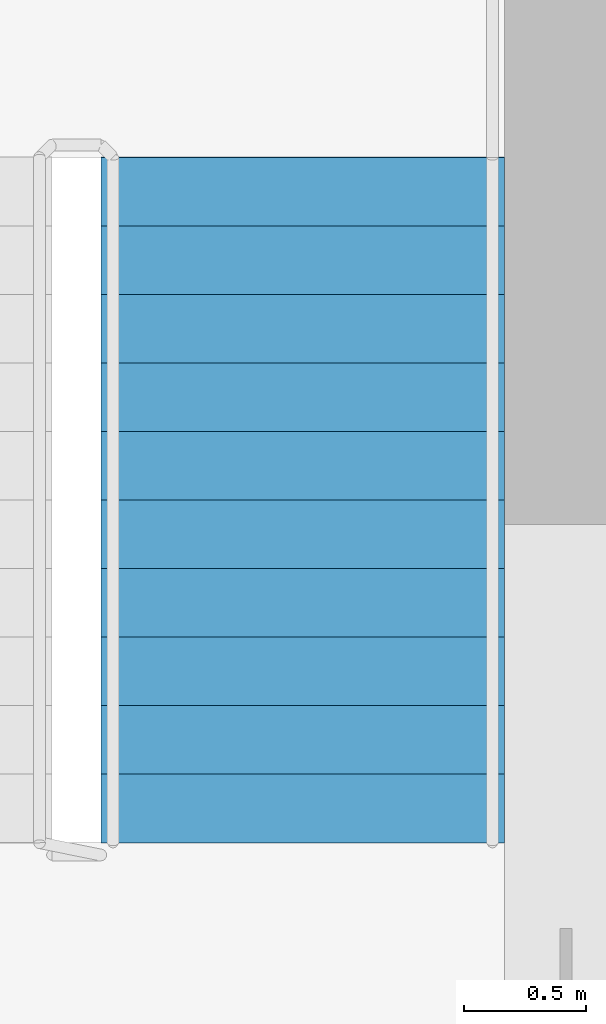
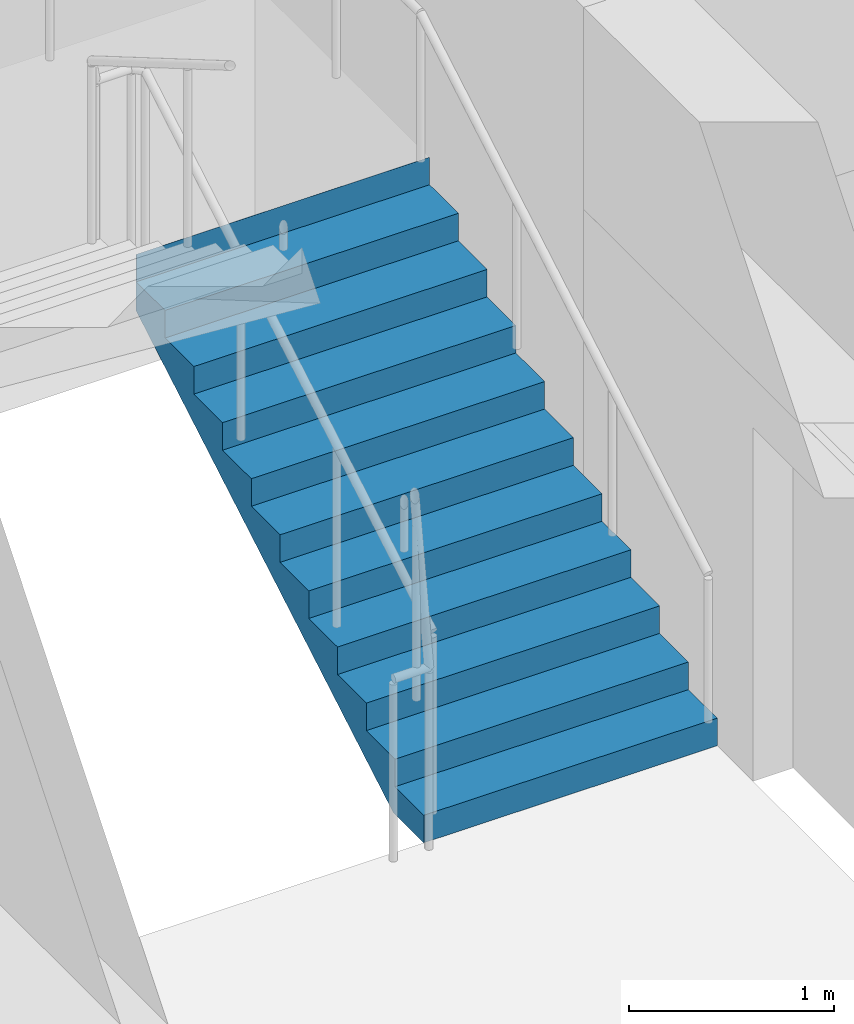
# One storey, part 13 of 14: 1 stair flight, 1 element without a shape of its own.
"""IFC4 building model written with IfcOpenShell, lengths in metres."""

from ifc_helpers import new_model, si_unit, direction, frame, origin, place, context, subcontext, project, spatial, polyline, outline, extrude, material, type_object, element, aggregate, save


model = new_model("IFC4")

# Units and contexts
model_context = context("Model", 3, precision=1e-05, world=origin(), true_north=direction((0.0, 1.0)))
body_context = subcontext(model_context, "Body", "Model", "MODEL_VIEW")
ifc_project = project(units=[si_unit("LENGTHUNIT", "METRE"), si_unit("AREAUNIT", "SQUARE_METRE"), si_unit("VOLUMEUNIT", "CUBIC_METRE"), si_unit("PLANEANGLEUNIT", "RADIAN"), si_unit("MASSUNIT", "GRAM", prefix="KILO")], contexts=[model_context])

# Site, building, storey
site_placement = place(None, origin())
site = spatial("IfcSite", under=ifc_project, at=site_placement, CompositionType="ELEMENT")
building_placement = place(site_placement, origin())
building = spatial("IfcBuilding", under=site, at=building_placement, Name="Tamorin Gate", CompositionType="ELEMENT")
storey_placement = place(building_placement, frame((0.0, 0.0, 162.60009765625)))
storey = spatial("IfcBuildingStorey", under=building, at=storey_placement, Name="L40", CompositionType="ELEMENT", Elevation=162.60009765625)

# Stair, stair flight
ifc_material = material(Name="Concrete C40/50", Category="concrete")
stair_type = type_object("IfcStairType", Name="Exit stair", PredefinedType="HALF_TURN_STAIR", material=ifc_material)
stair_placement = place(storey_placement, origin())
stair = element("IfcStair", 1, at=stair_placement, inside=storey, type_object=stair_type, Name="L40 stair ST2", PredefinedType="HALF_TURN_STAIR")
stair_flight_type = type_object("IfcStairFlightType", Name="Exit stair flight", PredefinedType="STRAIGHT", material=ifc_material)
stair_flight_placement = place(storey_placement, frame((33.675048828125, 77.0, 0.0), z_axis=(0.0, 0.0, 1.0), x_axis=(0.0, 1.0, 0.0)))
stair_flight = element("IfcStairFlight", 2, at=stair_flight_placement, type_object=stair_flight_type, Name="ST2 flight 1", NumberOfRisers=11, NumberOfTreads=10, PredefinedType="STRAIGHT", RiserHeight=0.163636364, TreadLength=0.28, context=body_context, shape_type="SweptSolid", body=[
    extrude(outline(polyline([(-0.00048828125, 0.0), (-0.00048828125, 0.001708984375), (-0.00048828125, 0.003173828125), (-0.00048828125, 0.0048828125), (-0.00048828125, 0.006591796875), (-0.00048828125, 0.008056640625), (-0.00048828125, 0.009765625), (-0.00048828125, 0.01123046875), (-0.00048828125, 0.012939453125), (-0.00048828125, 0.0146484375), (-0.00048828125, 0.01611328125), (-0.00048828125, 0.017822265625), (-0.00048828125, 0.01953125), (-0.00048828125, 0.02099609375), (-0.00048828125, 0.022705078125), (-0.00048828125, 0.0244140625), (-0.00048828125, 0.02587890625), (-0.00048828125, 0.027587890625), (-0.00048828125, 0.029052734375), (-0.00048828125, 0.03076171875), (-0.00048828125, 0.032470703125), (-0.00048828125, 0.033935546875), (-0.00048828125, 0.03564453125), (-0.00048828125, 0.037353515625), (-0.00048828125, 0.038818359375), (-0.00048828125, 0.04052734375), (-0.00048828125, 0.042236328125), (-0.00048828125, 0.043701171875), (-0.00048828125, 0.04541015625), (-0.00048828125, 0.046875), (-0.00048828125, 0.048583984375), (-0.00048828125, 0.05029296875), (-0.00048828125, 0.0517578125), (-0.00048828125, 0.053466796875), (-0.00048828125, 0.05517578125), (-0.00048828125, 0.056640625), (-0.00048828125, 0.058349609375), (-0.00048828125, 0.06005859375), (-0.00048828125, 0.0615234375), (-0.00048828125, 0.063232421875), (-0.00048828125, 0.064697265625), (-0.00048828125, 0.06640625), (-0.00048828125, 0.068115234375), (-0.00048828125, 0.069580078125), (-0.00048828125, 0.0712890625), (-0.00048828125, 0.072998046875), (-0.00048828125, 0.074462890625), (-0.00048828125, 0.076171875), (-0.00048828125, 0.077880859375), (-0.00048828125, 0.079345703125), (-0.00048828125, 0.0810546875), (-0.00048828125, 0.08251953125), (-0.00048828125, 0.084228515625), (-0.00048828125, 0.0859375), (-0.00048828125, 0.08740234375), (-0.00048828125, 0.089111328125), (-0.00048828125, 0.0908203125), (-0.00048828125, 0.09228515625), (-0.00048828125, 0.093994140625), (-0.00048828125, 0.095703125), (-0.00048828125, 0.09716796875), (-0.00048828125, 0.098876953125), (-0.00048828125, 0.100341796875), (-0.00048828125, 0.10205078125), (-0.00048828125, 0.103759765625), (-0.00048828125, 0.105224609375), (-0.00048828125, 0.10693359375), (-0.00048828125, 0.108642578125), (-0.00048828125, 0.110107421875), (-0.00048828125, 0.11181640625), (-0.00048828125, 0.113525390625), (-0.00048828125, 0.114990234375), (-0.00048828125, 0.11669921875), (-0.00048828125, 0.1181640625), (-0.00048828125, 0.119873046875), (-0.00048828125, 0.12158203125), (-0.00048828125, 0.123046875), (-0.00048828125, 0.124755859375), (-0.00048828125, 0.12646484375), (-0.00048828125, 0.1279296875), (-0.00048828125, 0.129638671875), (-0.00048828125, 0.13134765625), (-0.00048828125, 0.1328125), (-0.00048828125, 0.134521484375), (-0.00048828125, 0.135986328125), (-0.00048828125, 0.1376953125), (-0.00048828125, 0.139404296875), (-0.00048828125, 0.140869140625), (-0.00048828125, 0.142578125), (-0.00048828125, 0.144287109375), (-0.00048828125, 0.145751953125), (-0.00048828125, 0.1474609375), (-0.00048828125, 0.149169921875), (-0.00048828125, 0.150634765625), (-0.00048828125, 0.15234375), (-0.00048828125, 0.15380859375), (-0.00048828125, 0.155517578125), (-0.00048828125, 0.1572265625), (-0.00048828125, 0.15869140625), (-0.00048828125, 0.160400390625), (-0.00048828125, 0.162109375), (-0.00048828125, 0.16357421875), (0.280029296875, 0.16357421875), (0.280029296875, 0.327392578125), (0.56005859375, 0.327392578125), (0.56005859375, 0.490966796875), (0.840087890625, 0.490966796875), (0.840087890625, 0.654541015625), (1.1201171875, 0.654541015625), (1.1201171875, 0.818115234375), (1.39990234375, 0.818115234375), (1.39990234375, 0.98193359375), (1.679931640625, 0.98193359375), (1.679931640625, 1.1455078125), (1.9599609375, 1.1455078125), (1.9599609375, 1.30908203125), (2.239990234375, 1.30908203125), (2.239990234375, 1.47265625), (2.52001953125, 1.47265625), (2.52001953125, 1.636474609375), (2.800048828125, 1.636474609375), (2.800048828125, 1.800048828125), (2.800537109375, 1.800048828125), (2.800537109375, 1.796630859375), (2.800537109375, 1.793212890625), (2.800537109375, 1.7900390625), (2.800537109375, 1.78662109375), (2.800537109375, 1.783203125), (2.800537109375, 1.780029296875), (2.800537109375, 1.776611328125), (2.800537109375, 1.773193359375), (2.800537109375, 1.77001953125), (2.800537109375, 1.7666015625), (2.800537109375, 1.76318359375), (2.800537109375, 1.760009765625), (2.800537109375, 1.756591796875), (2.800537109375, 1.753173828125), (2.800537109375, 1.75), (2.800537109375, 1.74658203125), (2.800537109375, 1.7431640625), (2.800537109375, 1.739990234375), (2.800537109375, 1.736572265625), (2.800537109375, 1.733154296875), (2.800537109375, 1.72998046875), (2.800537109375, 1.7265625), (2.800537109375, 1.72314453125), (2.800537109375, 1.719970703125), (2.800537109375, 1.716552734375), (2.800537109375, 1.713134765625), (2.800537109375, 1.7099609375), (2.800537109375, 1.70654296875), (2.800537109375, 1.703125), (2.800537109375, 1.69970703125), (2.800537109375, 1.696533203125), (2.800537109375, 1.693115234375), (2.800537109375, 1.689697265625), (2.800537109375, 1.6865234375), (2.800537109375, 1.68310546875), (2.800537109375, 1.6796875), (2.800537109375, 1.676513671875), (2.800537109375, 1.673095703125), (2.800537109375, 1.669677734375), (2.800537109375, 1.66650390625), (2.800537109375, 1.6630859375), (2.800537109375, 1.65966796875), (2.800537109375, 1.656494140625), (2.800537109375, 1.653076171875), (2.800537109375, 1.649658203125), (2.800537109375, 1.646484375), (2.800537109375, 1.64306640625), (2.800537109375, 1.6396484375), (2.800537109375, 1.636474609375), (2.800537109375, 1.633056640625), (2.800537109375, 1.629638671875), (2.800537109375, 1.62646484375), (2.800537109375, 1.623046875), (2.800537109375, 1.61962890625), (2.800537109375, 1.616455078125), (2.800537109375, 1.613037109375), (2.800537109375, 1.609619140625), (2.800537109375, 1.6064453125), (2.800537109375, 1.60302734375), (2.800537109375, 1.599609375), (2.800537109375, 1.59619140625), (2.800537109375, 1.593017578125), (2.800537109375, 1.589599609375), (2.800537109375, 1.586181640625), (2.800537109375, 1.5830078125), (2.800537109375, 1.57958984375), (2.800537109375, 1.576171875), (2.800537109375, 1.572998046875), (2.800537109375, 1.569580078125), (2.800537109375, 1.566162109375), (2.800537109375, 1.56298828125), (2.800537109375, 1.5595703125), (2.800537109375, 1.55615234375), (2.800537109375, 1.552978515625), (2.800537109375, 1.549560546875), (2.800537109375, 1.546142578125), (2.800537109375, 1.54296875), (2.800537109375, 1.53955078125), (2.800537109375, 1.5361328125), (2.800537109375, 1.532958984375), (2.800537109375, 1.529541015625), (2.800537109375, 1.526123046875), (2.800537109375, 1.52294921875), (2.800537109375, 1.51953125), (2.800537109375, 1.51611328125), (2.800537109375, 1.512939453125), (2.800537109375, 1.509521484375), (2.800537109375, 1.506103515625), (2.800537109375, 1.5029296875), (2.800537109375, 1.49951171875), (2.800537109375, 1.49609375), (2.800537109375, 1.49267578125), (2.800537109375, 1.489501953125), (2.800537109375, 1.486083984375), (2.800537109375, 1.482666015625), (2.800537109375, 1.4794921875), (2.800537109375, 1.47607421875), (2.800537109375, 1.47265625), (2.800537109375, 1.469482421875), (2.800537109375, 1.466064453125), (2.800537109375, 1.462646484375), (2.800048828125, 1.462646484375), (0.297119140625, 0.0), (-0.00048828125, 0.0)])), frame((0.0, 0.824951171875, 0.0), z_axis=(0.0, -1.0, 0.0), x_axis=(1.0, 0.0, 0.0)), (0.0, 0.0, 1.0), 1.64990234375),
])
aggregate(stair, [stair_flight])

save(model, "model.ifc")
